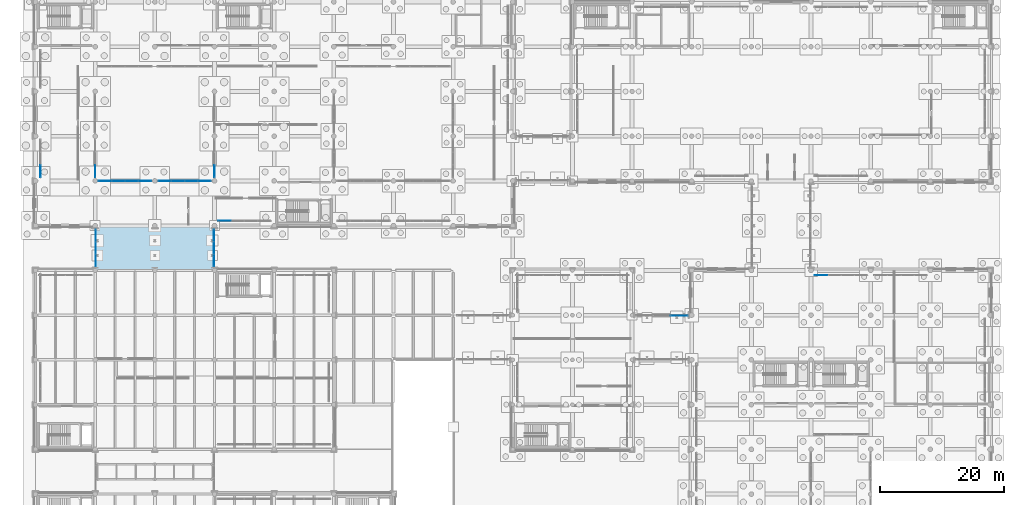
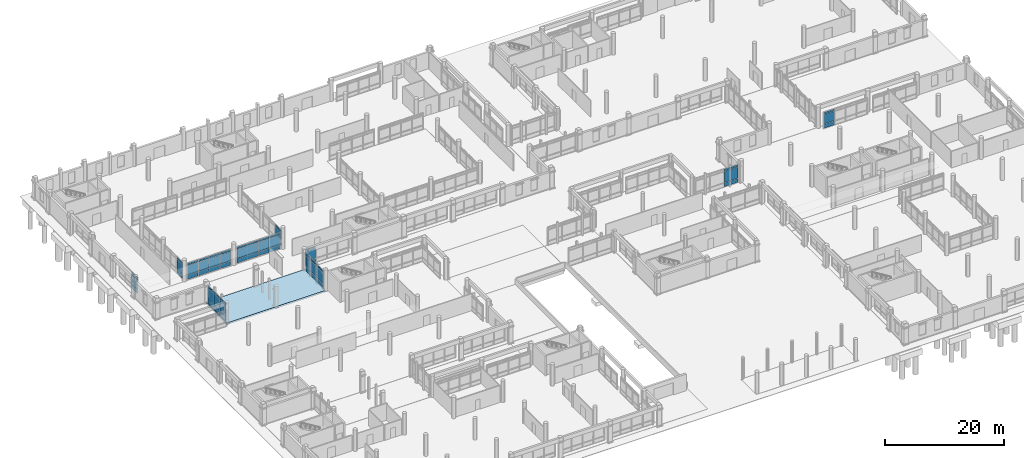
# One storey, part 148 of 196: 60 plates, 1 slab, 10 elements without a shape of their own.
"""IFC4 building model written with IfcOpenShell, lengths in metres."""

from ifc_helpers import new_model, si_unit, direction, frame, origin, origin_2d, place, context, subcontext, project, spatial, polyline, rectangle, outline, extrude, material, layer, layer_set, type_object, element, aggregate, save


model = new_model("IFC4")

# Units and contexts
model_context = context("Model", 3, precision=1e-05, world=origin(), true_north=direction((0.0, 1.0)))
body_context = subcontext(model_context, "Body", "Model", "MODEL_VIEW")
ifc_project = project(units=[si_unit("LENGTHUNIT", "METRE"), si_unit("AREAUNIT", "SQUARE_METRE"), si_unit("VOLUMEUNIT", "CUBIC_METRE"), si_unit("PLANEANGLEUNIT", "RADIAN"), si_unit("MASSUNIT", "GRAM", prefix="KILO")], contexts=[model_context])

# Site, building, storey
site_placement = place(None, origin())
site = spatial("IfcSite", under=ifc_project, at=site_placement, CompositionType="ELEMENT")
building_placement = place(site_placement, origin())
building = spatial("IfcBuilding", under=site, at=building_placement, Name="Asteropetra Specialist Clinic", CompositionType="ELEMENT")
storey_placement = place(building_placement, origin())
storey = spatial("IfcBuildingStorey", under=building, at=storey_placement, Name="L00", CompositionType="ELEMENT", Elevation=0.0)

# Curtain wall, plates
ifc_material_1 = material(Name="Aluminium and low-E glass", Category="aluminium")
ifc_layer_1 = layer(ifc_material_1, 0.179931640625)
ifc_layer_set_1 = layer_set([ifc_layer_1], Name="Aluminium and low-E glass")
curtain_wall_type_1 = type_object("IfcCurtainWallType", Name="CW-SYS-04", PredefinedType="USERDEFINED", material=ifc_layer_set_1)
curtain_wall_1_placement = place(storey_placement, origin())
curtain_wall_1 = element("IfcCurtainWall", 1, at=curtain_wall_1_placement, inside=storey, type_object=curtain_wall_type_1, Name="Curtain Wall CW-116", ObjectType="UNITISED CURTAIN WALL", PredefinedType="USERDEFINED")
ifc_material_2 = material(Name="Low-E double glazing", Category="glass")
ifc_layer_2 = layer(ifc_material_2, 0.028076171875)
ifc_layer_set_2 = layer_set([ifc_layer_2], Name="Low-E double glazing")
plate_type_1 = type_object("IfcPlateType", Name="CWP-GLZ-28", PredefinedType="CURTAIN_PANEL", material=ifc_layer_set_2)
plate_1_placement = place(storey_placement, frame((103.578369140625, 55.1201171875, 0.06005859375), z_axis=(0.0, 0.0, 1.0), x_axis=(-1.0, 0.0, 0.0)))
plate_1 = element("IfcPlate", 2, at=plate_1_placement, type_object=plate_type_1, Name="CW-116 panel 1.1", PredefinedType="CURTAIN_PANEL", context=body_context, shape_type="SweptSolid", body=[
    extrude(rectangle(XDim=2.703369140625, YDim=0.028076171875, at=origin_2d()), origin(), (0.0, 0.0, 1.0), 0.81005859375),
])
plate_2_placement = place(storey_placement, frame((103.578369140625, 55.1201171875, 0.929931640625), z_axis=(0.0, 0.0, 1.0), x_axis=(-1.0, 0.0, 0.0)))
plate_2 = element("IfcPlate", 3, at=plate_2_placement, type_object=plate_type_1, Name="CW-116 panel 1.2", PredefinedType="CURTAIN_PANEL", context=body_context, shape_type="SweptSolid", body=[
    extrude(rectangle(XDim=2.703369140625, YDim=0.028076171875, at=origin_2d()), origin(), (0.0, 0.0, 1.0), 2.31005859375),
])
plate_3_placement = place(storey_placement, frame((103.578369140625, 55.1201171875, 3.2998046875), z_axis=(0.0, 0.0, 1.0), x_axis=(-1.0, 0.0, 0.0)))
plate_3 = element("IfcPlate", 4, at=plate_3_placement, type_object=plate_type_1, Name="CW-116 panel 1.3", PredefinedType="CURTAIN_PANEL", context=body_context, shape_type="SweptSolid", body=[
    extrude(rectangle(XDim=2.703369140625, YDim=0.028076171875, at=origin_2d()), origin(), (0.0, 0.0, 1.0), 0.409912109375),
])
aggregate(curtain_wall_1, [plate_1, plate_2, plate_3])

ifc_material_3 = material(Name="Aluminium and low-E glass", Category="aluminium")
ifc_layer_3 = layer(ifc_material_3, 0.14990234375)
ifc_layer_set_3 = layer_set([ifc_layer_3], Name="Aluminium and low-E glass")
curtain_wall_type_2 = type_object("IfcCurtainWallType", Name="CW-SYS-02", PredefinedType="USERDEFINED", material=ifc_layer_set_3)
curtain_wall_2_placement = place(storey_placement, origin())
curtain_wall_2 = element("IfcCurtainWall", 5, at=curtain_wall_2_placement, inside=storey, type_object=curtain_wall_type_2, Name="Curtain Wall CW-001", ObjectType="UNITISED CURTAIN WALL", PredefinedType="USERDEFINED")
ifc_material_4 = material(Name="Low-E acoustic double glazing", Category="glass")
ifc_layer_4 = layer(ifc_material_4, 0.031982421875)
ifc_layer_set_4 = layer_set([ifc_layer_4], Name="Low-E acoustic double glazing")
plate_type_2 = type_object("IfcPlateType", Name="CWP-GLZ-32", PredefinedType="CURTAIN_PANEL", material=ifc_layer_set_4)
plate_4_placement = place(storey_placement, frame((11.217529296875, 76.800048828125, 0.06494140625), z_axis=(0.0, 0.0, 1.0), x_axis=(1.0, 0.0, 0.0)))
plate_4 = element("IfcPlate", 6, at=plate_4_placement, type_object=plate_type_2, Name="CW-001 panel 1.1", PredefinedType="CURTAIN_PANEL", context=body_context, shape_type="SweptSolid", body=[
    extrude(rectangle(XDim=2.034912109375, YDim=0.031982421875, at=origin_2d()), origin(), (0.0, 0.0, 1.0), 0.802490234375),
])
plate_5_placement = place(storey_placement, frame((11.217529296875, 76.800048828125, 0.932373046875), z_axis=(0.0, 0.0, 1.0), x_axis=(1.0, 0.0, 0.0)))
plate_5 = element("IfcPlate", 7, at=plate_5_placement, type_object=plate_type_2, Name="CW-001 panel 1.2", PredefinedType="CURTAIN_PANEL", context=body_context, shape_type="SweptSolid", body=[
    extrude(rectangle(XDim=2.034912109375, YDim=0.031982421875, at=origin_2d()), origin(), (0.0, 0.0, 1.0), 1.955078125),
])
plate_6_placement = place(storey_placement, frame((11.217529296875, 76.800048828125, 2.95263671875), z_axis=(0.0, 0.0, 1.0), x_axis=(1.0, 0.0, 0.0)))
plate_6 = element("IfcPlate", 8, at=plate_6_placement, type_object=plate_type_2, Name="CW-001 panel 1.3", PredefinedType="CURTAIN_PANEL", context=body_context, shape_type="SweptSolid", body=[
    extrude(rectangle(XDim=2.034912109375, YDim=0.031982421875, at=origin_2d()), origin(), (0.0, 0.0, 1.0), 0.402587890625),
])
plate_7_placement = place(storey_placement, frame((13.333740234375, 76.800048828125, 0.06494140625), z_axis=(0.0, 0.0, 1.0), x_axis=(1.0, 0.0, 0.0)))
plate_7 = element("IfcPlate", 9, at=plate_7_placement, type_object=plate_type_2, Name="CW-001 panel 2.1", PredefinedType="CURTAIN_PANEL", context=body_context, shape_type="SweptSolid", body=[
    extrude(rectangle(XDim=2.0673828125, YDim=0.031982421875, at=origin_2d()), origin(), (0.0, 0.0, 1.0), 0.802490234375),
])
plate_8_placement = place(storey_placement, frame((13.333740234375, 76.800048828125, 0.932373046875), z_axis=(0.0, 0.0, 1.0), x_axis=(1.0, 0.0, 0.0)))
plate_8 = element("IfcPlate", 10, at=plate_8_placement, type_object=plate_type_2, Name="CW-001 panel 2.2", PredefinedType="CURTAIN_PANEL", context=body_context, shape_type="SweptSolid", body=[
    extrude(rectangle(XDim=2.0673828125, YDim=0.031982421875, at=origin_2d()), origin(), (0.0, 0.0, 1.0), 1.955078125),
])
plate_9_placement = place(storey_placement, frame((13.333740234375, 76.800048828125, 2.95263671875), z_axis=(0.0, 0.0, 1.0), x_axis=(1.0, 0.0, 0.0)))
plate_9 = element("IfcPlate", 11, at=plate_9_placement, type_object=plate_type_2, Name="CW-001 panel 2.3", PredefinedType="CURTAIN_PANEL", context=body_context, shape_type="SweptSolid", body=[
    extrude(rectangle(XDim=2.0673828125, YDim=0.031982421875, at=origin_2d()), origin(), (0.0, 0.0, 1.0), 0.402587890625),
])
plate_10_placement = place(storey_placement, frame((15.46630859375, 76.800048828125, 0.06494140625), z_axis=(0.0, 0.0, 1.0), x_axis=(1.0, 0.0, 0.0)))
plate_10 = element("IfcPlate", 12, at=plate_10_placement, type_object=plate_type_2, Name="CW-001 panel 3.1", PredefinedType="CURTAIN_PANEL", context=body_context, shape_type="SweptSolid", body=[
    extrude(rectangle(XDim=2.0673828125, YDim=0.031982421875, at=origin_2d()), origin(), (0.0, 0.0, 1.0), 0.802490234375),
])
plate_11_placement = place(storey_placement, frame((15.46630859375, 76.800048828125, 0.932373046875), z_axis=(0.0, 0.0, 1.0), x_axis=(1.0, 0.0, 0.0)))
plate_11 = element("IfcPlate", 13, at=plate_11_placement, type_object=plate_type_2, Name="CW-001 panel 3.2", PredefinedType="CURTAIN_PANEL", context=body_context, shape_type="SweptSolid", body=[
    extrude(rectangle(XDim=2.0673828125, YDim=0.031982421875, at=origin_2d()), origin(), (0.0, 0.0, 1.0), 1.955078125),
])
plate_12_placement = place(storey_placement, frame((15.46630859375, 76.800048828125, 2.95263671875), z_axis=(0.0, 0.0, 1.0), x_axis=(1.0, 0.0, 0.0)))
plate_12 = element("IfcPlate", 14, at=plate_12_placement, type_object=plate_type_2, Name="CW-001 panel 3.3", PredefinedType="CURTAIN_PANEL", context=body_context, shape_type="SweptSolid", body=[
    extrude(rectangle(XDim=2.0673828125, YDim=0.031982421875, at=origin_2d()), origin(), (0.0, 0.0, 1.0), 0.402587890625),
])
plate_13_placement = place(storey_placement, frame((17.58251953125, 76.800048828125, 0.06494140625), z_axis=(0.0, 0.0, 1.0), x_axis=(1.0, 0.0, 0.0)))
plate_13 = element("IfcPlate", 15, at=plate_13_placement, type_object=plate_type_2, Name="CW-001 panel 4.1", PredefinedType="CURTAIN_PANEL", context=body_context, shape_type="SweptSolid", body=[
    extrude(rectangle(XDim=2.034912109375, YDim=0.031982421875, at=origin_2d()), origin(), (0.0, 0.0, 1.0), 0.802490234375),
])
plate_14_placement = place(storey_placement, frame((17.58251953125, 76.800048828125, 0.932373046875), z_axis=(0.0, 0.0, 1.0), x_axis=(1.0, 0.0, 0.0)))
plate_14 = element("IfcPlate", 16, at=plate_14_placement, type_object=plate_type_2, Name="CW-001 panel 4.2", PredefinedType="CURTAIN_PANEL", context=body_context, shape_type="SweptSolid", body=[
    extrude(rectangle(XDim=2.034912109375, YDim=0.031982421875, at=origin_2d()), origin(), (0.0, 0.0, 1.0), 1.955078125),
])
plate_15_placement = place(storey_placement, frame((17.58251953125, 76.800048828125, 2.95263671875), z_axis=(0.0, 0.0, 1.0), x_axis=(1.0, 0.0, 0.0)))
plate_15 = element("IfcPlate", 17, at=plate_15_placement, type_object=plate_type_2, Name="CW-001 panel 4.3", PredefinedType="CURTAIN_PANEL", context=body_context, shape_type="SweptSolid", body=[
    extrude(rectangle(XDim=2.034912109375, YDim=0.031982421875, at=origin_2d()), origin(), (0.0, 0.0, 1.0), 0.402587890625),
])
aggregate(curtain_wall_2, [plate_4, plate_5, plate_6, plate_7, plate_8, plate_9, plate_10, plate_11, plate_12, plate_13, plate_14, plate_15])

curtain_wall_3_placement = place(storey_placement, origin())
curtain_wall_3 = element("IfcCurtainWall", 18, at=curtain_wall_3_placement, inside=storey, type_object=curtain_wall_type_1, Name="Curtain Wall CW-005", ObjectType="UNITISED CURTAIN WALL", PredefinedType="USERDEFINED")
plate_16_placement = place(storey_placement, frame((9.60009765625, 78.37158203125, 0.06005859375), z_axis=(0.0, 0.0, 1.0), x_axis=(0.0, -1.0, 0.0)))
plate_16 = element("IfcPlate", 19, at=plate_16_placement, type_object=plate_type_2, Name="CW-005 panel 3.1", PredefinedType="CURTAIN_PANEL", context=body_context, shape_type="SweptSolid", body=[
    extrude(rectangle(XDim=1.953369140625, YDim=0.031982421875, at=origin_2d()), origin(), (0.0, 0.0, 1.0), 0.81005859375),
])
plate_17_placement = place(storey_placement, frame((9.60009765625, 78.37158203125, 0.929931640625), z_axis=(0.0, 0.0, 1.0), x_axis=(0.0, -1.0, 0.0)))
plate_17 = element("IfcPlate", 20, at=plate_17_placement, type_object=plate_type_2, Name="CW-005 panel 3.2", PredefinedType="CURTAIN_PANEL", context=body_context, shape_type="SweptSolid", body=[
    extrude(rectangle(XDim=1.953369140625, YDim=0.031982421875, at=origin_2d()), origin(), (0.0, 0.0, 1.0), 1.9599609375),
])
plate_18_placement = place(storey_placement, frame((9.60009765625, 78.37158203125, 2.9501953125), z_axis=(0.0, 0.0, 1.0), x_axis=(0.0, -1.0, 0.0)))
plate_18 = element("IfcPlate", 21, at=plate_18_placement, type_object=plate_type_2, Name="CW-005 panel 3.3", PredefinedType="CURTAIN_PANEL", context=body_context, shape_type="SweptSolid", body=[
    extrude(rectangle(XDim=1.953369140625, YDim=0.031982421875, at=origin_2d()), origin(), (0.0, 0.0, 1.0), 0.409912109375),
])
aggregate(curtain_wall_3, [plate_16, plate_17, plate_18])

ifc_material_5 = material(Name="Aluminium and low-E glass", Category="aluminium")
ifc_layer_5 = layer(ifc_material_5, 0.14990234375)
ifc_layer_set_5 = layer_set([ifc_layer_5], Name="Aluminium and low-E glass")
curtain_wall_type_3 = type_object("IfcCurtainWallType", Name="CW-SYS-08", PredefinedType="USERDEFINED", material=ifc_layer_set_5)
curtain_wall_4_placement = place(storey_placement, origin())
curtain_wall_4 = element("IfcCurtainWall", 22, at=curtain_wall_4_placement, inside=storey, type_object=curtain_wall_type_3, Name="Curtain Wall CW-101", ObjectType="STICK GLAZED COLONNADE", PredefinedType="USERDEFINED")
plate_19_placement = place(storey_placement, frame((9.679931640625, 64.021728515625, 0.06005859375), z_axis=(0.0, 0.0, 1.0), x_axis=(0.0, 1.0, 0.0)))
plate_19 = element("IfcPlate", 23, at=plate_19_placement, type_object=plate_type_2, Name="CW-101 panel 1.1", PredefinedType="CURTAIN_PANEL", context=body_context, shape_type="SweptSolid", body=[
    extrude(rectangle(XDim=1.9033203125, YDim=0.031982421875, at=origin_2d()), origin(), (0.0, 0.0, 1.0), 0.81005859375),
])
plate_20_placement = place(storey_placement, frame((9.679931640625, 64.021728515625, 0.929931640625), z_axis=(0.0, 0.0, 1.0), x_axis=(0.0, 1.0, 0.0)))
plate_20 = element("IfcPlate", 24, at=plate_20_placement, type_object=plate_type_2, Name="CW-101 panel 1.2", PredefinedType="CURTAIN_PANEL", context=body_context, shape_type="SweptSolid", body=[
    extrude(rectangle(XDim=1.9033203125, YDim=0.031982421875, at=origin_2d()), origin(), (0.0, 0.0, 1.0), 2.31005859375),
])
plate_21_placement = place(storey_placement, frame((9.679931640625, 64.021728515625, 3.2998046875), z_axis=(0.0, 0.0, 1.0), x_axis=(0.0, 1.0, 0.0)))
plate_21 = element("IfcPlate", 25, at=plate_21_placement, type_object=plate_type_2, Name="CW-101 panel 1.3", PredefinedType="CURTAIN_PANEL", context=body_context, shape_type="SweptSolid", body=[
    extrude(rectangle(XDim=1.9033203125, YDim=0.031982421875, at=origin_2d()), origin(), (0.0, 0.0, 1.0), 0.409912109375),
])
plate_22_placement = place(storey_placement, frame((9.679931640625, 66.0, 0.06005859375), z_axis=(0.0, 0.0, 1.0), x_axis=(0.0, 1.0, 0.0)))
plate_22 = element("IfcPlate", 26, at=plate_22_placement, type_object=plate_type_2, Name="CW-101 panel 2.1", PredefinedType="CURTAIN_PANEL", context=body_context, shape_type="SweptSolid", body=[
    extrude(rectangle(XDim=1.933349609375, YDim=0.031982421875, at=origin_2d()), origin(), (0.0, 0.0, 1.0), 0.81005859375),
])
plate_23_placement = place(storey_placement, frame((9.679931640625, 66.0, 0.929931640625), z_axis=(0.0, 0.0, 1.0), x_axis=(0.0, 1.0, 0.0)))
plate_23 = element("IfcPlate", 27, at=plate_23_placement, type_object=plate_type_2, Name="CW-101 panel 2.2", PredefinedType="CURTAIN_PANEL", context=body_context, shape_type="SweptSolid", body=[
    extrude(rectangle(XDim=1.933349609375, YDim=0.031982421875, at=origin_2d()), origin(), (0.0, 0.0, 1.0), 2.31005859375),
])
plate_24_placement = place(storey_placement, frame((9.679931640625, 66.0, 3.2998046875), z_axis=(0.0, 0.0, 1.0), x_axis=(0.0, 1.0, 0.0)))
plate_24 = element("IfcPlate", 28, at=plate_24_placement, type_object=plate_type_2, Name="CW-101 panel 2.3", PredefinedType="CURTAIN_PANEL", context=body_context, shape_type="SweptSolid", body=[
    extrude(rectangle(XDim=1.933349609375, YDim=0.031982421875, at=origin_2d()), origin(), (0.0, 0.0, 1.0), 0.409912109375),
])
plate_25_placement = place(storey_placement, frame((9.679931640625, 67.978271484375, 0.06005859375), z_axis=(0.0, 0.0, 1.0), x_axis=(0.0, 1.0, 0.0)))
plate_25 = element("IfcPlate", 29, at=plate_25_placement, type_object=plate_type_2, Name="CW-101 panel 3.1", PredefinedType="CURTAIN_PANEL", context=body_context, shape_type="SweptSolid", body=[
    extrude(rectangle(XDim=1.9033203125, YDim=0.031982421875, at=origin_2d()), origin(), (0.0, 0.0, 1.0), 0.81005859375),
])
plate_26_placement = place(storey_placement, frame((9.679931640625, 67.978271484375, 0.929931640625), z_axis=(0.0, 0.0, 1.0), x_axis=(0.0, 1.0, 0.0)))
plate_26 = element("IfcPlate", 30, at=plate_26_placement, type_object=plate_type_2, Name="CW-101 panel 3.2", PredefinedType="CURTAIN_PANEL", context=body_context, shape_type="SweptSolid", body=[
    extrude(rectangle(XDim=1.9033203125, YDim=0.031982421875, at=origin_2d()), origin(), (0.0, 0.0, 1.0), 2.31005859375),
])
plate_27_placement = place(storey_placement, frame((9.679931640625, 67.978271484375, 3.2998046875), z_axis=(0.0, 0.0, 1.0), x_axis=(0.0, 1.0, 0.0)))
plate_27 = element("IfcPlate", 31, at=plate_27_placement, type_object=plate_type_2, Name="CW-101 panel 3.3", PredefinedType="CURTAIN_PANEL", context=body_context, shape_type="SweptSolid", body=[
    extrude(rectangle(XDim=1.9033203125, YDim=0.031982421875, at=origin_2d()), origin(), (0.0, 0.0, 1.0), 0.409912109375),
])
aggregate(curtain_wall_4, [plate_19, plate_20, plate_21, plate_22, plate_23, plate_24, plate_25, plate_26, plate_27])

ifc_material_6 = material(Name="Aluminium and low-E glass", Category="aluminium")
ifc_layer_6 = layer(ifc_material_6, 0.135009765625)
ifc_layer_set_6 = layer_set([ifc_layer_6], Name="Aluminium and low-E glass")
curtain_wall_type_4 = type_object("IfcCurtainWallType", Name="CW-SYS-09", PredefinedType="USERDEFINED", material=ifc_layer_set_6)
curtain_wall_5_placement = place(storey_placement, origin())
curtain_wall_5 = element("IfcCurtainWall", 32, at=curtain_wall_5_placement, inside=storey, type_object=curtain_wall_type_4, Name="Curtain Wall CW-193", ObjectType="STICK GLAZED COLONNADE", PredefinedType="USERDEFINED")
plate_28_placement = place(storey_placement, frame((126.41748046875, 61.6201171875, 0.06494140625), z_axis=(0.0, 0.0, 1.0), x_axis=(-1.0, 0.0, 0.0)))
plate_28 = element("IfcPlate", 33, at=plate_28_placement, type_object=plate_type_2, Name="CW-193 panel 4.1", PredefinedType="CURTAIN_PANEL", context=body_context, shape_type="SweptSolid", body=[
    extrude(rectangle(XDim=2.034912109375, YDim=0.031982421875, at=origin_2d()), origin(), (0.0, 0.0, 1.0), 0.802490234375),
])
plate_29_placement = place(storey_placement, frame((126.41748046875, 61.6201171875, 0.932373046875), z_axis=(0.0, 0.0, 1.0), x_axis=(-1.0, 0.0, 0.0)))
plate_29 = element("IfcPlate", 34, at=plate_29_placement, type_object=plate_type_2, Name="CW-193 panel 4.2", PredefinedType="CURTAIN_PANEL", context=body_context, shape_type="SweptSolid", body=[
    extrude(rectangle(XDim=2.034912109375, YDim=0.031982421875, at=origin_2d()), origin(), (0.0, 0.0, 1.0), 1.93505859375),
])
plate_30_placement = place(storey_placement, frame((126.41748046875, 61.6201171875, 2.9326171875), z_axis=(0.0, 0.0, 1.0), x_axis=(-1.0, 0.0, 0.0)))
plate_30 = element("IfcPlate", 35, at=plate_30_placement, type_object=plate_type_2, Name="CW-193 panel 4.3", PredefinedType="CURTAIN_PANEL", context=body_context, shape_type="SweptSolid", body=[
    extrude(rectangle(XDim=2.034912109375, YDim=0.031982421875, at=origin_2d()), origin(), (0.0, 0.0, 1.0), 0.402587890625),
])
aggregate(curtain_wall_5, [plate_28, plate_29, plate_30])

ifc_material_7 = material(Name="Aluminium and low-E glass", Category="aluminium")
ifc_layer_7 = layer(ifc_material_7, 0.14990234375)
ifc_layer_set_7 = layer_set([ifc_layer_7], Name="Aluminium and low-E glass")
curtain_wall_type_5 = type_object("IfcCurtainWallType", Name="CW-SYS-05", PredefinedType="USERDEFINED", material=ifc_layer_set_7)
curtain_wall_6_placement = place(storey_placement, origin())
curtain_wall_6 = element("IfcCurtainWall", 36, at=curtain_wall_6_placement, inside=storey, type_object=curtain_wall_type_5, Name="Curtain Wall CW-006", ObjectType="UNITISED CURTAIN WALL", PredefinedType="USERDEFINED")
ifc_material_8 = material(Name="Solar-control triple glazing", Category="glass")
ifc_layer_8 = layer(ifc_material_8, 0.035888671875)
ifc_layer_set_8 = layer_set([ifc_layer_8], Name="Solar-control triple glazing")
plate_type_3 = type_object("IfcPlateType", Name="CWP-GLZ-36", PredefinedType="CURTAIN_PANEL", material=ifc_layer_set_8)
plate_31_placement = place(storey_placement, frame((28.800048828125, 78.37548828125, 0.074951171875), z_axis=(0.0, 0.0, 1.0), x_axis=(0.0, 1.0, 0.0)))
plate_31 = element("IfcPlate", 37, at=plate_31_placement, type_object=plate_type_3, Name="CW-006 panel 1.1", PredefinedType="CURTAIN_PANEL", context=body_context, shape_type="SweptSolid", body=[
    extrude(rectangle(XDim=1.930908203125, YDim=0.035888671875, at=origin_2d()), origin(), (0.0, 0.0, 1.0), 0.78759765625),
])
plate_32_placement = place(storey_placement, frame((28.800048828125, 78.37548828125, 0.9375), z_axis=(0.0, 0.0, 1.0), x_axis=(0.0, 1.0, 0.0)))
plate_32 = element("IfcPlate", 38, at=plate_32_placement, type_object=plate_type_3, Name="CW-006 panel 1.2", PredefinedType="CURTAIN_PANEL", context=body_context, shape_type="SweptSolid", body=[
    extrude(rectangle(XDim=1.930908203125, YDim=0.035888671875, at=origin_2d()), origin(), (0.0, 0.0, 1.0), 1.945068359375),
])
plate_33_placement = place(storey_placement, frame((28.800048828125, 78.37548828125, 2.95751953125), z_axis=(0.0, 0.0, 1.0), x_axis=(0.0, 1.0, 0.0)))
plate_33 = element("IfcPlate", 39, at=plate_33_placement, type_object=plate_type_3, Name="CW-006 panel 1.3", PredefinedType="CURTAIN_PANEL", context=body_context, shape_type="SweptSolid", body=[
    extrude(rectangle(XDim=1.930908203125, YDim=0.035888671875, at=origin_2d()), origin(), (0.0, 0.0, 1.0), 0.387451171875),
])
aggregate(curtain_wall_6, [plate_31, plate_32, plate_33])

curtain_wall_7_placement = place(storey_placement, origin())
curtain_wall_7 = element("IfcCurtainWall", 40, at=curtain_wall_7_placement, inside=storey, type_object=curtain_wall_type_4, Name="Curtain Wall CW-102", ObjectType="STICK GLAZED COLONNADE", PredefinedType="USERDEFINED")
plate_34_placement = place(storey_placement, frame((28.719970703125, 67.974609375, 0.074951171875), z_axis=(0.0, 0.0, 1.0), x_axis=(0.0, -1.0, 0.0)))
plate_34 = element("IfcPlate", 41, at=plate_34_placement, type_object=plate_type_3, Name="CW-102 panel 1.1", PredefinedType="CURTAIN_PANEL", context=body_context, shape_type="SweptSolid", body=[
    extrude(rectangle(XDim=1.880859375, YDim=0.035888671875, at=origin_2d()), origin(), (0.0, 0.0, 1.0), 0.78759765625),
])
plate_35_placement = place(storey_placement, frame((28.719970703125, 67.974609375, 0.9375), z_axis=(0.0, 0.0, 1.0), x_axis=(0.0, -1.0, 0.0)))
plate_35 = element("IfcPlate", 42, at=plate_35_placement, type_object=plate_type_3, Name="CW-102 panel 1.2", PredefinedType="CURTAIN_PANEL", context=body_context, shape_type="SweptSolid", body=[
    extrude(rectangle(XDim=1.880859375, YDim=0.035888671875, at=origin_2d()), origin(), (0.0, 0.0, 1.0), 2.294921875),
])
plate_36_placement = place(storey_placement, frame((28.719970703125, 67.974609375, 3.3076171875), z_axis=(0.0, 0.0, 1.0), x_axis=(0.0, -1.0, 0.0)))
plate_36 = element("IfcPlate", 43, at=plate_36_placement, type_object=plate_type_3, Name="CW-102 panel 1.3", PredefinedType="CURTAIN_PANEL", context=body_context, shape_type="SweptSolid", body=[
    extrude(rectangle(XDim=1.880859375, YDim=0.035888671875, at=origin_2d()), origin(), (0.0, 0.0, 1.0), 0.387451171875),
])
plate_37_placement = place(storey_placement, frame((28.719970703125, 66.0, 0.074951171875), z_axis=(0.0, 0.0, 1.0), x_axis=(0.0, -1.0, 0.0)))
plate_37 = element("IfcPlate", 44, at=plate_37_placement, type_object=plate_type_3, Name="CW-102 panel 2.1", PredefinedType="CURTAIN_PANEL", context=body_context, shape_type="SweptSolid", body=[
    extrude(rectangle(XDim=1.918212890625, YDim=0.035888671875, at=origin_2d()), origin(), (0.0, 0.0, 1.0), 0.78759765625),
])
plate_38_placement = place(storey_placement, frame((28.719970703125, 66.0, 0.9375), z_axis=(0.0, 0.0, 1.0), x_axis=(0.0, -1.0, 0.0)))
plate_38 = element("IfcPlate", 45, at=plate_38_placement, type_object=plate_type_3, Name="CW-102 panel 2.2", PredefinedType="CURTAIN_PANEL", context=body_context, shape_type="SweptSolid", body=[
    extrude(rectangle(XDim=1.918212890625, YDim=0.035888671875, at=origin_2d()), origin(), (0.0, 0.0, 1.0), 2.294921875),
])
plate_39_placement = place(storey_placement, frame((28.719970703125, 66.0, 3.3076171875), z_axis=(0.0, 0.0, 1.0), x_axis=(0.0, -1.0, 0.0)))
plate_39 = element("IfcPlate", 46, at=plate_39_placement, type_object=plate_type_3, Name="CW-102 panel 2.3", PredefinedType="CURTAIN_PANEL", context=body_context, shape_type="SweptSolid", body=[
    extrude(rectangle(XDim=1.918212890625, YDim=0.035888671875, at=origin_2d()), origin(), (0.0, 0.0, 1.0), 0.387451171875),
])
plate_40_placement = place(storey_placement, frame((28.719970703125, 64.025390625, 0.074951171875), z_axis=(0.0, 0.0, 1.0), x_axis=(0.0, -1.0, 0.0)))
plate_40 = element("IfcPlate", 47, at=plate_40_placement, type_object=plate_type_3, Name="CW-102 panel 3.1", PredefinedType="CURTAIN_PANEL", context=body_context, shape_type="SweptSolid", body=[
    extrude(rectangle(XDim=1.880859375, YDim=0.035888671875, at=origin_2d()), origin(), (0.0, 0.0, 1.0), 0.78759765625),
])
plate_41_placement = place(storey_placement, frame((28.719970703125, 64.025390625, 0.9375), z_axis=(0.0, 0.0, 1.0), x_axis=(0.0, -1.0, 0.0)))
plate_41 = element("IfcPlate", 48, at=plate_41_placement, type_object=plate_type_3, Name="CW-102 panel 3.2", PredefinedType="CURTAIN_PANEL", context=body_context, shape_type="SweptSolid", body=[
    extrude(rectangle(XDim=1.880859375, YDim=0.035888671875, at=origin_2d()), origin(), (0.0, 0.0, 1.0), 2.294921875),
])
plate_42_placement = place(storey_placement, frame((28.719970703125, 64.025390625, 3.3076171875), z_axis=(0.0, 0.0, 1.0), x_axis=(0.0, -1.0, 0.0)))
plate_42 = element("IfcPlate", 49, at=plate_42_placement, type_object=plate_type_3, Name="CW-102 panel 3.3", PredefinedType="CURTAIN_PANEL", context=body_context, shape_type="SweptSolid", body=[
    extrude(rectangle(XDim=1.880859375, YDim=0.035888671875, at=origin_2d()), origin(), (0.0, 0.0, 1.0), 0.387451171875),
])
aggregate(curtain_wall_7, [plate_34, plate_35, plate_36, plate_37, plate_38, plate_39, plate_40, plate_41, plate_42])

ifc_material_9 = material(Name="Aluminium and low-E glass", Category="aluminium")
ifc_layer_9 = layer(ifc_material_9, 0.135009765625)
ifc_layer_set_9 = layer_set([ifc_layer_9], Name="Aluminium and low-E glass")
curtain_wall_type_6 = type_object("IfcCurtainWallType", Name="CW-SYS-03", PredefinedType="USERDEFINED", material=ifc_layer_set_9)
curtain_wall_8_placement = place(storey_placement, origin())
curtain_wall_8 = element("IfcCurtainWall", 50, at=curtain_wall_8_placement, inside=storey, type_object=curtain_wall_type_6, Name="Curtain Wall CW-003", ObjectType="UNITISED CURTAIN WALL", PredefinedType="USERDEFINED")
ifc_material_10 = material(Name="Laminated skylight glazing", Category="glass")
ifc_layer_10 = layer(ifc_material_10, 0.0400390625)
ifc_layer_set_10 = layer_set([ifc_layer_10], Name="Laminated skylight glazing")
plate_type_4 = type_object("IfcPlateType", Name="CWP-GLZ-40", PredefinedType="CURTAIN_PANEL", material=ifc_layer_set_10)
plate_43_placement = place(storey_placement, frame((20.820068359375, 76.800048828125, 0.074951171875), z_axis=(0.0, 0.0, 1.0), x_axis=(1.0, 0.0, 0.0)))
plate_43 = element("IfcPlate", 51, at=plate_43_placement, type_object=plate_type_4, Name="CW-003 panel 1.1", PredefinedType="CURTAIN_PANEL", context=body_context, shape_type="SweptSolid", body=[
    extrude(rectangle(XDim=2.02001953125, YDim=0.0400390625, at=origin_2d()), origin(), (0.0, 0.0, 1.0), 0.78759765625),
])
plate_44_placement = place(storey_placement, frame((20.820068359375, 76.800048828125, 0.9375), z_axis=(0.0, 0.0, 1.0), x_axis=(1.0, 0.0, 0.0)))
plate_44 = element("IfcPlate", 52, at=plate_44_placement, type_object=plate_type_4, Name="CW-003 panel 1.2", PredefinedType="CURTAIN_PANEL", context=body_context, shape_type="SweptSolid", body=[
    extrude(rectangle(XDim=2.02001953125, YDim=0.0400390625, at=origin_2d()), origin(), (0.0, 0.0, 1.0), 1.945068359375),
])
plate_45_placement = place(storey_placement, frame((20.820068359375, 76.800048828125, 2.95751953125), z_axis=(0.0, 0.0, 1.0), x_axis=(1.0, 0.0, 0.0)))
plate_45 = element("IfcPlate", 53, at=plate_45_placement, type_object=plate_type_4, Name="CW-003 panel 1.3", PredefinedType="CURTAIN_PANEL", context=body_context, shape_type="SweptSolid", body=[
    extrude(rectangle(XDim=2.02001953125, YDim=0.0400390625, at=origin_2d()), origin(), (0.0, 0.0, 1.0), 0.387451171875),
])
plate_46_placement = place(storey_placement, frame((22.933837890625, 76.800048828125, 0.074951171875), z_axis=(0.0, 0.0, 1.0), x_axis=(1.0, 0.0, 0.0)))
plate_46 = element("IfcPlate", 54, at=plate_46_placement, type_object=plate_type_4, Name="CW-003 panel 2.1", PredefinedType="CURTAIN_PANEL", context=body_context, shape_type="SweptSolid", body=[
    extrude(rectangle(XDim=2.0576171875, YDim=0.0400390625, at=origin_2d()), origin(), (0.0, 0.0, 1.0), 0.78759765625),
])
plate_47_placement = place(storey_placement, frame((22.933837890625, 76.800048828125, 0.9375), z_axis=(0.0, 0.0, 1.0), x_axis=(1.0, 0.0, 0.0)))
plate_47 = element("IfcPlate", 55, at=plate_47_placement, type_object=plate_type_4, Name="CW-003 panel 2.2", PredefinedType="CURTAIN_PANEL", context=body_context, shape_type="SweptSolid", body=[
    extrude(rectangle(XDim=2.0576171875, YDim=0.0400390625, at=origin_2d()), origin(), (0.0, 0.0, 1.0), 1.945068359375),
])
plate_48_placement = place(storey_placement, frame((22.933837890625, 76.800048828125, 2.95751953125), z_axis=(0.0, 0.0, 1.0), x_axis=(1.0, 0.0, 0.0)))
plate_48 = element("IfcPlate", 56, at=plate_48_placement, type_object=plate_type_4, Name="CW-003 panel 2.3", PredefinedType="CURTAIN_PANEL", context=body_context, shape_type="SweptSolid", body=[
    extrude(rectangle(XDim=2.0576171875, YDim=0.0400390625, at=origin_2d()), origin(), (0.0, 0.0, 1.0), 0.387451171875),
])
plate_49_placement = place(storey_placement, frame((25.066162109375, 76.800048828125, 0.074951171875), z_axis=(0.0, 0.0, 1.0), x_axis=(1.0, 0.0, 0.0)))
plate_49 = element("IfcPlate", 57, at=plate_49_placement, type_object=plate_type_4, Name="CW-003 panel 3.1", PredefinedType="CURTAIN_PANEL", context=body_context, shape_type="SweptSolid", body=[
    extrude(rectangle(XDim=2.0576171875, YDim=0.0400390625, at=origin_2d()), origin(), (0.0, 0.0, 1.0), 0.78759765625),
])
plate_50_placement = place(storey_placement, frame((25.066162109375, 76.800048828125, 0.9375), z_axis=(0.0, 0.0, 1.0), x_axis=(1.0, 0.0, 0.0)))
plate_50 = element("IfcPlate", 58, at=plate_50_placement, type_object=plate_type_4, Name="CW-003 panel 3.2", PredefinedType="CURTAIN_PANEL", context=body_context, shape_type="SweptSolid", body=[
    extrude(rectangle(XDim=2.0576171875, YDim=0.0400390625, at=origin_2d()), origin(), (0.0, 0.0, 1.0), 1.945068359375),
])
plate_51_placement = place(storey_placement, frame((25.066162109375, 76.800048828125, 2.95751953125), z_axis=(0.0, 0.0, 1.0), x_axis=(1.0, 0.0, 0.0)))
plate_51 = element("IfcPlate", 59, at=plate_51_placement, type_object=plate_type_4, Name="CW-003 panel 3.3", PredefinedType="CURTAIN_PANEL", context=body_context, shape_type="SweptSolid", body=[
    extrude(rectangle(XDim=2.0576171875, YDim=0.0400390625, at=origin_2d()), origin(), (0.0, 0.0, 1.0), 0.387451171875),
])
plate_52_placement = place(storey_placement, frame((27.179931640625, 76.800048828125, 0.074951171875), z_axis=(0.0, 0.0, 1.0), x_axis=(1.0, 0.0, 0.0)))
plate_52 = element("IfcPlate", 60, at=plate_52_placement, type_object=plate_type_4, Name="CW-003 panel 4.1", PredefinedType="CURTAIN_PANEL", context=body_context, shape_type="SweptSolid", body=[
    extrude(rectangle(XDim=2.02001953125, YDim=0.0400390625, at=origin_2d()), origin(), (0.0, 0.0, 1.0), 0.78759765625),
])
plate_53_placement = place(storey_placement, frame((27.179931640625, 76.800048828125, 0.9375), z_axis=(0.0, 0.0, 1.0), x_axis=(1.0, 0.0, 0.0)))
plate_53 = element("IfcPlate", 61, at=plate_53_placement, type_object=plate_type_4, Name="CW-003 panel 4.2", PredefinedType="CURTAIN_PANEL", context=body_context, shape_type="SweptSolid", body=[
    extrude(rectangle(XDim=2.02001953125, YDim=0.0400390625, at=origin_2d()), origin(), (0.0, 0.0, 1.0), 1.945068359375),
])
plate_54_placement = place(storey_placement, frame((27.179931640625, 76.800048828125, 2.95751953125), z_axis=(0.0, 0.0, 1.0), x_axis=(1.0, 0.0, 0.0)))
plate_54 = element("IfcPlate", 62, at=plate_54_placement, type_object=plate_type_4, Name="CW-003 panel 4.3", PredefinedType="CURTAIN_PANEL", context=body_context, shape_type="SweptSolid", body=[
    extrude(rectangle(XDim=2.02001953125, YDim=0.0400390625, at=origin_2d()), origin(), (0.0, 0.0, 1.0), 0.387451171875),
])
aggregate(curtain_wall_8, [plate_43, plate_44, plate_45, plate_46, plate_47, plate_48, plate_49, plate_50, plate_51, plate_52, plate_53, plate_54])

curtain_wall_9_placement = place(storey_placement, origin())
curtain_wall_9 = element("IfcCurtainWall", 63, at=curtain_wall_9_placement, inside=storey, type_object=curtain_wall_type_4, Name="Curtain Wall CW-183", ObjectType="STICK GLAZED COLONNADE", PredefinedType="USERDEFINED")
plate_55_placement = place(storey_placement, frame((30.419921875, 70.3798828125, 0.074951171875), z_axis=(0.0, 0.0, 1.0), x_axis=(1.0, 0.0, 0.0)))
plate_55 = element("IfcPlate", 64, at=plate_55_placement, type_object=plate_type_4, Name="CW-183 panel 1.1", PredefinedType="CURTAIN_PANEL", context=body_context, shape_type="SweptSolid", body=[
    extrude(rectangle(XDim=2.02001953125, YDim=0.0400390625, at=origin_2d()), origin(), (0.0, 0.0, 1.0), 0.78759765625),
])
plate_56_placement = place(storey_placement, frame((30.419921875, 70.3798828125, 0.9375), z_axis=(0.0, 0.0, 1.0), x_axis=(1.0, 0.0, 0.0)))
plate_56 = element("IfcPlate", 65, at=plate_56_placement, type_object=plate_type_4, Name="CW-183 panel 1.2", PredefinedType="CURTAIN_PANEL", context=body_context, shape_type="SweptSolid", body=[
    extrude(rectangle(XDim=2.02001953125, YDim=0.0400390625, at=origin_2d()), origin(), (0.0, 0.0, 1.0), 1.945068359375),
])
plate_57_placement = place(storey_placement, frame((30.419921875, 70.3798828125, 2.95751953125), z_axis=(0.0, 0.0, 1.0), x_axis=(1.0, 0.0, 0.0)))
plate_57 = element("IfcPlate", 66, at=plate_57_placement, type_object=plate_type_4, Name="CW-183 panel 1.3", PredefinedType="CURTAIN_PANEL", context=body_context, shape_type="SweptSolid", body=[
    extrude(rectangle(XDim=2.02001953125, YDim=0.0400390625, at=origin_2d()), origin(), (0.0, 0.0, 1.0), 0.387451171875),
])
aggregate(curtain_wall_9, [plate_55, plate_56, plate_57])

ifc_material_11 = material(Name="Aluminium and low-E glass", Category="aluminium")
ifc_layer_11 = layer(ifc_material_11, 0.179931640625)
ifc_layer_set_11 = layer_set([ifc_layer_11], Name="Aluminium and low-E glass")
curtain_wall_type_7 = type_object("IfcCurtainWallType", Name="CW-SYS-10", PredefinedType="USERDEFINED", material=ifc_layer_set_11)
curtain_wall_10_placement = place(storey_placement, origin())
curtain_wall_10 = element("IfcCurtainWall", 67, at=curtain_wall_10_placement, inside=storey, type_object=curtain_wall_type_7, Name="Curtain Wall CW-187", ObjectType="STICK GLAZED COLONNADE", PredefinedType="USERDEFINED")
plate_58_placement = place(storey_placement, frame((0.780029296875, 78.372802734375, 0.06494140625), z_axis=(0.0, 0.0, 1.0), x_axis=(0.0, -1.0, 0.0)))
plate_58 = element("IfcPlate", 68, at=plate_58_placement, type_object=plate_type_4, Name="CW-187 panel 3.1", PredefinedType="CURTAIN_PANEL", context=body_context, shape_type="SweptSolid", body=[
    extrude(rectangle(XDim=1.94580078125, YDim=0.0400390625, at=origin_2d()), origin(), (0.0, 0.0, 1.0), 0.802490234375),
])
plate_59_placement = place(storey_placement, frame((0.780029296875, 78.372802734375, 0.932373046875), z_axis=(0.0, 0.0, 1.0), x_axis=(0.0, -1.0, 0.0)))
plate_59 = element("IfcPlate", 69, at=plate_59_placement, type_object=plate_type_4, Name="CW-187 panel 3.2", PredefinedType="CURTAIN_PANEL", context=body_context, shape_type="SweptSolid", body=[
    extrude(rectangle(XDim=1.94580078125, YDim=0.0400390625, at=origin_2d()), origin(), (0.0, 0.0, 1.0), 1.955078125),
])
plate_60_placement = place(storey_placement, frame((0.780029296875, 78.372802734375, 2.95263671875), z_axis=(0.0, 0.0, 1.0), x_axis=(0.0, -1.0, 0.0)))
plate_60 = element("IfcPlate", 70, at=plate_60_placement, type_object=plate_type_4, Name="CW-187 panel 3.3", PredefinedType="CURTAIN_PANEL", context=body_context, shape_type="SweptSolid", body=[
    extrude(rectangle(XDim=1.94580078125, YDim=0.0400390625, at=origin_2d()), origin(), (0.0, 0.0, 1.0), 0.402587890625),
])
aggregate(curtain_wall_10, [plate_58, plate_59, plate_60])

# Slab
ifc_material_12 = material(Name="Concrete C35/45", Category="concrete")
ifc_layer_12 = layer(ifc_material_12, 0.35009765625)
ifc_layer_set_12 = layer_set([ifc_layer_12], Name="Concrete C35/45")
slab_type = type_object("IfcSlabType", Name="SLB-BASE-350", PredefinedType="BASESLAB", material=ifc_layer_set_12)
slab_placement = place(storey_placement, frame((0.0, 0.0, -0.35009765625)))
element("IfcSlab", 71, at=slab_placement, inside=storey, type_object=slab_type, Name="Slab LP2 L00", PredefinedType="BASESLAB", context=body_context, shape_type="SweptSolid", body=[
    extrude(outline(polyline([(9.60009765625, 62.43994140625), (28.800048828125, 62.43994140625), (28.800048828125, 69.56005859375), (9.60009765625, 69.56005859375), (9.60009765625, 62.43994140625)])), origin(), (0.0, 0.0, 1.0), 0.35009765625),
])

save(model, "model.ifc")
